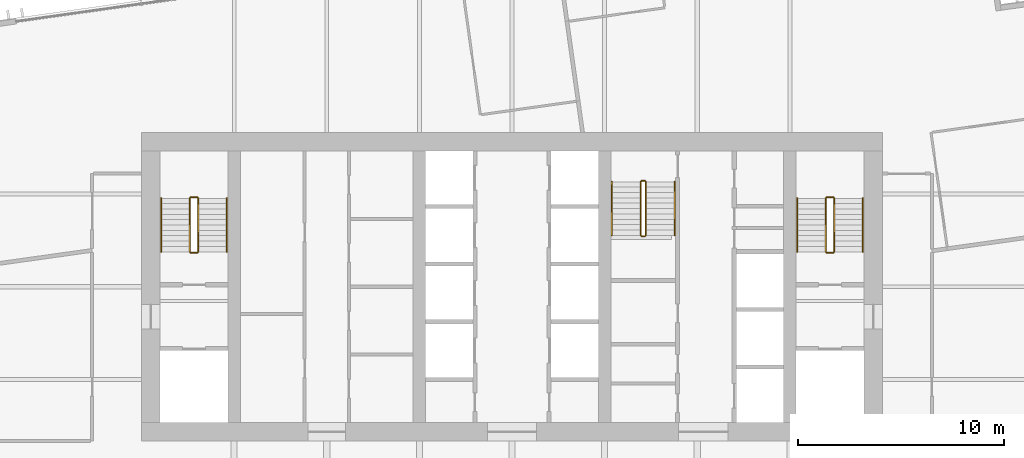
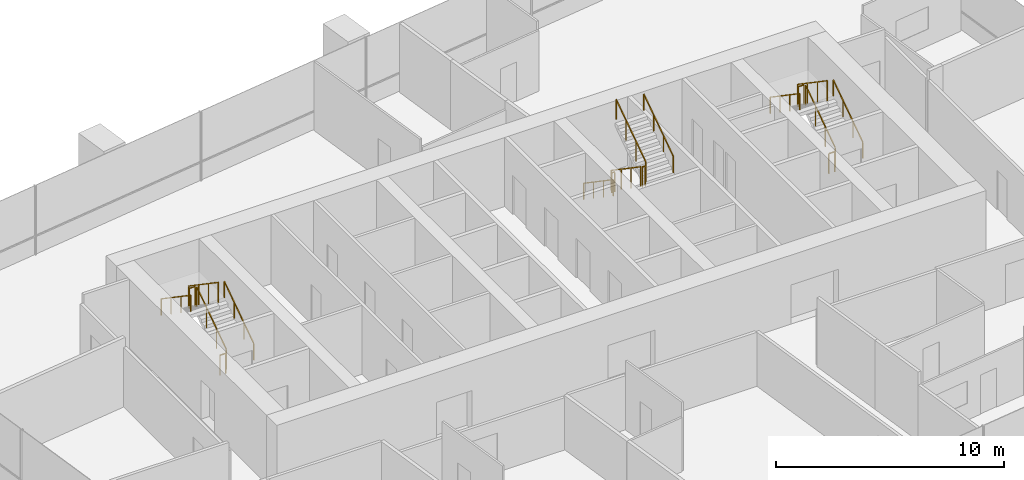
# One storey, part 14 of 14: 18 railings.
"""IFC4 building model written with IfcOpenShell, lengths in metres."""

from ifc_helpers import new_model, si_unit, direction, frame, origin, origin_2d, place, context, subcontext, project, spatial, rectangle, extrude, material, type_object, element, save


model = new_model("IFC4")

# Units and contexts
model_context = context("Model", 3, precision=1e-05, world=origin(), true_north=direction((0.0, 1.0)))
body_context = subcontext(model_context, "Body", "Model", "MODEL_VIEW")
ifc_project = project(units=[si_unit("LENGTHUNIT", "METRE"), si_unit("AREAUNIT", "SQUARE_METRE"), si_unit("VOLUMEUNIT", "CUBIC_METRE"), si_unit("PLANEANGLEUNIT", "RADIAN"), si_unit("MASSUNIT", "GRAM", prefix="KILO")], contexts=[model_context])

# Site, building, storey
site_placement = place(None, origin())
site = spatial("IfcSite", under=ifc_project, at=site_placement, CompositionType="ELEMENT")
building_placement = place(site_placement, origin())
building = spatial("IfcBuilding", under=site, at=building_placement, Name="Rattan Terrace Tower", CompositionType="ELEMENT")
storey_placement = place(building_placement, frame((0.0, 0.0, 195.800048828125)))
storey = spatial("IfcBuildingStorey", under=building, at=storey_placement, Name="L45", CompositionType="ELEMENT", Elevation=195.800048828125)

# Railings
ifc_material_1 = material(Name="Powder-coated steel guard", Category="steel")
railing_type_1 = type_object("IfcRailingType", Name="Core stair guard", PredefinedType="GUARDRAIL", material=ifc_material_1)
railing_1_placement = place(storey_placement, frame((-15.25, 1.699951171875, 0.17724609375)))
element("IfcRailing", 1, at=railing_1_placement, inside=storey, type_object=railing_type_1, Name="L45 S1 stair guard 1", PredefinedType="GUARDRAIL", context=body_context, shape_type="SweptSolid", body=[
    extrude(rectangle(XDim=0.048095703125, YDim=0.048095703125, at=origin_2d()), frame((0.0, 0.0, 1.076171875), z_axis=(0.0, 0.826240473404, 0.563317565952), x_axis=(-1.0, 0.0, 0.0)), (0.0, 0.0, 1.0), 3.14697265625),
    extrude(rectangle(XDim=0.0419921875, YDim=0.0419921875, at=origin_2d()), origin(), (0.0, 0.0, 1.0), 1.052001953125),
    extrude(rectangle(XDim=0.0419921875, YDim=0.0419921875, at=origin_2d()), frame((0.0, 0.86669921875, 0.5908203125)), (0.0, 0.0, 1.0), 1.052001953125),
    extrude(rectangle(XDim=0.0419921875, YDim=0.0419921875, at=origin_2d()), frame((0.0, 1.7333984375, 1.181884765625)), (0.0, 0.0, 1.0), 1.052001953125),
    extrude(rectangle(XDim=0.0419921875, YDim=0.0419921875, at=origin_2d()), frame((0.0, 2.60009765625, 1.772705078125)), (0.0, 0.0, 1.0), 1.052001953125),
])
railing_2_placement = place(storey_placement, frame((-15.300048828125, 4.35009765625, 1.949951171875)))
element("IfcRailing", 2, at=railing_2_placement, inside=storey, type_object=railing_type_1, Name="L45 S1 stair guard 2", PredefinedType="GUARDRAIL", context=body_context, shape_type="SweptSolid", body=[
    extrude(rectangle(XDim=0.048095703125, YDim=0.048095703125, at=origin_2d()), frame((0.0, 0.0, 1.076171875), z_axis=(-1.0, 0.0, 0.0), x_axis=(0.0, -1.0, 0.0)), (0.0, 0.0, 1.0), 0.300048828125),
    extrude(rectangle(XDim=0.0419921875, YDim=0.0419921875, at=origin_2d()), origin(), (0.0, 0.0, 1.0), 1.052001953125),
    extrude(rectangle(XDim=0.0419921875, YDim=0.0419921875, at=origin_2d()), frame((-0.300048828125, 0.0, 0.0)), (0.0, 0.0, 1.0), 1.052001953125),
])
railing_3_placement = place(storey_placement, frame((-15.64990234375, 4.300048828125, 2.127197265625)))
element("IfcRailing", 3, at=railing_3_placement, inside=storey, type_object=railing_type_1, Name="L45 S1 stair guard 3", PredefinedType="GUARDRAIL", context=body_context, shape_type="SweptSolid", body=[
    extrude(rectangle(XDim=0.048095703125, YDim=0.048095703125, at=origin_2d()), frame((0.0, 0.0, 1.076171875), z_axis=(0.0, -0.826240473404, 0.563317565952), x_axis=(1.0, 0.0, 0.0)), (0.0, 0.0, 1.0), 3.14697265625),
    extrude(rectangle(XDim=0.0419921875, YDim=0.0419921875, at=origin_2d()), origin(), (0.0, 0.0, 1.0), 1.052001953125),
    extrude(rectangle(XDim=0.0419921875, YDim=0.0419921875, at=origin_2d()), frame((0.0, -0.86669921875, 0.5908203125)), (0.0, 0.0, 1.0), 1.052001953125),
    extrude(rectangle(XDim=0.0419921875, YDim=0.0419921875, at=origin_2d()), frame((0.0, -1.7333984375, 1.181884765625)), (0.0, 0.0, 1.0), 1.052001953125),
    extrude(rectangle(XDim=0.0419921875, YDim=0.0419921875, at=origin_2d()), frame((0.0, -2.60009765625, 1.772705078125)), (0.0, 0.0, 1.0), 1.052001953125),
])
railing_4_placement = place(storey_placement, frame((-15.300048828125, 1.64990234375, 0.0)))
element("IfcRailing", 4, at=railing_4_placement, inside=storey, type_object=railing_type_1, Name="L45 S1 stair guard 4", PredefinedType="GUARDRAIL", context=body_context, shape_type="SweptSolid", body=[
    extrude(rectangle(XDim=0.048095703125, YDim=0.048095703125, at=origin_2d()), frame((0.0, 0.0, 1.076171875), z_axis=(-1.0, 0.0, 0.0), x_axis=(0.0, -1.0, 0.0)), (0.0, 0.0, 1.0), 0.300048828125),
    extrude(rectangle(XDim=0.0419921875, YDim=0.0419921875, at=origin_2d()), origin(), (0.0, 0.0, 1.0), 1.052001953125),
    extrude(rectangle(XDim=0.0419921875, YDim=0.0419921875, at=origin_2d()), frame((-0.300048828125, 0.0, 0.0)), (0.0, 0.0, 1.0), 1.052001953125),
])
railing_5_placement = place(storey_placement, frame((15.64990234375, 1.699951171875, 0.17724609375)))
element("IfcRailing", 5, at=railing_5_placement, inside=storey, type_object=railing_type_1, Name="L45 S2 stair guard 1", PredefinedType="GUARDRAIL", context=body_context, shape_type="SweptSolid", body=[
    extrude(rectangle(XDim=0.048095703125, YDim=0.048095703125, at=origin_2d()), frame((0.0, 0.0, 1.076171875), z_axis=(0.0, 0.826240473404, 0.563317565952), x_axis=(-1.0, 0.0, 0.0)), (0.0, 0.0, 1.0), 3.14697265625),
    extrude(rectangle(XDim=0.0419921875, YDim=0.0419921875, at=origin_2d()), origin(), (0.0, 0.0, 1.0), 1.052001953125),
    extrude(rectangle(XDim=0.0419921875, YDim=0.0419921875, at=origin_2d()), frame((0.0, 0.86669921875, 0.5908203125)), (0.0, 0.0, 1.0), 1.052001953125),
    extrude(rectangle(XDim=0.0419921875, YDim=0.0419921875, at=origin_2d()), frame((0.0, 1.7333984375, 1.181884765625)), (0.0, 0.0, 1.0), 1.052001953125),
    extrude(rectangle(XDim=0.0419921875, YDim=0.0419921875, at=origin_2d()), frame((0.0, 2.60009765625, 1.772705078125)), (0.0, 0.0, 1.0), 1.052001953125),
])
railing_6_placement = place(storey_placement, frame((15.60009765625, 4.35009765625, 1.949951171875)))
element("IfcRailing", 6, at=railing_6_placement, inside=storey, type_object=railing_type_1, Name="L45 S2 stair guard 2", PredefinedType="GUARDRAIL", context=body_context, shape_type="SweptSolid", body=[
    extrude(rectangle(XDim=0.048095703125, YDim=0.048095703125, at=origin_2d()), frame((0.0, 0.0, 1.076171875), z_axis=(-1.0, 0.0, 0.0), x_axis=(0.0, -1.0, 0.0)), (0.0, 0.0, 1.0), 0.300048828125),
    extrude(rectangle(XDim=0.0419921875, YDim=0.0419921875, at=origin_2d()), origin(), (0.0, 0.0, 1.0), 1.052001953125),
    extrude(rectangle(XDim=0.0419921875, YDim=0.0419921875, at=origin_2d()), frame((-0.300048828125, 0.0, 0.0)), (0.0, 0.0, 1.0), 1.052001953125),
])
railing_7_placement = place(storey_placement, frame((15.25, 4.300048828125, 2.127197265625)))
element("IfcRailing", 7, at=railing_7_placement, inside=storey, type_object=railing_type_1, Name="L45 S2 stair guard 3", PredefinedType="GUARDRAIL", context=body_context, shape_type="SweptSolid", body=[
    extrude(rectangle(XDim=0.048095703125, YDim=0.048095703125, at=origin_2d()), frame((0.0, 0.0, 1.076171875), z_axis=(0.0, -0.826240473404, 0.563317565952), x_axis=(1.0, 0.0, 0.0)), (0.0, 0.0, 1.0), 3.14697265625),
    extrude(rectangle(XDim=0.0419921875, YDim=0.0419921875, at=origin_2d()), origin(), (0.0, 0.0, 1.0), 1.052001953125),
    extrude(rectangle(XDim=0.0419921875, YDim=0.0419921875, at=origin_2d()), frame((0.0, -0.86669921875, 0.5908203125)), (0.0, 0.0, 1.0), 1.052001953125),
    extrude(rectangle(XDim=0.0419921875, YDim=0.0419921875, at=origin_2d()), frame((0.0, -1.7333984375, 1.181884765625)), (0.0, 0.0, 1.0), 1.052001953125),
    extrude(rectangle(XDim=0.0419921875, YDim=0.0419921875, at=origin_2d()), frame((0.0, -2.60009765625, 1.772705078125)), (0.0, 0.0, 1.0), 1.052001953125),
])
railing_8_placement = place(storey_placement, frame((15.60009765625, 1.64990234375, 0.0)))
element("IfcRailing", 8, at=railing_8_placement, inside=storey, type_object=railing_type_1, Name="L45 S2 stair guard 4", PredefinedType="GUARDRAIL", context=body_context, shape_type="SweptSolid", body=[
    extrude(rectangle(XDim=0.048095703125, YDim=0.048095703125, at=origin_2d()), frame((0.0, 0.0, 1.076171875), z_axis=(-1.0, 0.0, 0.0), x_axis=(0.0, -1.0, 0.0)), (0.0, 0.0, 1.0), 0.300048828125),
    extrude(rectangle(XDim=0.0419921875, YDim=0.0419921875, at=origin_2d()), origin(), (0.0, 0.0, 1.0), 1.052001953125),
    extrude(rectangle(XDim=0.0419921875, YDim=0.0419921875, at=origin_2d()), frame((-0.300048828125, 0.0, 0.0)), (0.0, 0.0, 1.0), 1.052001953125),
])
railing_9_placement = place(storey_placement, frame((6.25, 5.10009765625, 0.17724609375)))
element("IfcRailing", 9, at=railing_9_placement, inside=storey, type_object=railing_type_1, Name="L45 S3 stair guard 1", PredefinedType="GUARDRAIL", context=body_context, shape_type="SweptSolid", body=[
    extrude(rectangle(XDim=0.048095703125, YDim=0.048095703125, at=origin_2d()), frame((0.0, 0.0, 1.076171875), z_axis=(0.0, -0.826240473404, 0.563317565952), x_axis=(1.0, 0.0, 0.0)), (0.0, 0.0, 1.0), 3.14697265625),
    extrude(rectangle(XDim=0.0419921875, YDim=0.0419921875, at=origin_2d()), origin(), (0.0, 0.0, 1.0), 1.052001953125),
    extrude(rectangle(XDim=0.0419921875, YDim=0.0419921875, at=origin_2d()), frame((0.0, -0.86669921875, 0.5908203125)), (0.0, 0.0, 1.0), 1.052001953125),
    extrude(rectangle(XDim=0.0419921875, YDim=0.0419921875, at=origin_2d()), frame((0.0, -1.7333984375, 1.181884765625)), (0.0, 0.0, 1.0), 1.052001953125),
    extrude(rectangle(XDim=0.0419921875, YDim=0.0419921875, at=origin_2d()), frame((0.0, -2.60009765625, 1.772705078125)), (0.0, 0.0, 1.0), 1.052001953125),
])
railing_10_placement = place(storey_placement, frame((6.300048828125, 2.449951171875, 1.949951171875)))
element("IfcRailing", 10, at=railing_10_placement, inside=storey, type_object=railing_type_1, Name="L45 S3 stair guard 2", PredefinedType="GUARDRAIL", context=body_context, shape_type="SweptSolid", body=[
    extrude(rectangle(XDim=0.048095703125, YDim=0.048095703125, at=origin_2d()), frame((0.0, 0.0, 1.076171875), z_axis=(1.0, 0.0, 0.0), x_axis=(0.0, 1.0, 0.0)), (0.0, 0.0, 1.0), 0.14990234375),
    extrude(rectangle(XDim=0.0419921875, YDim=0.0419921875, at=origin_2d()), origin(), (0.0, 0.0, 1.0), 1.052001953125),
    extrude(rectangle(XDim=0.0419921875, YDim=0.0419921875, at=origin_2d()), frame((0.14990234375, 0.0, 0.0)), (0.0, 0.0, 1.0), 1.052001953125),
])
railing_11_placement = place(storey_placement, frame((6.5, 2.5, 2.127197265625)))
element("IfcRailing", 11, at=railing_11_placement, inside=storey, type_object=railing_type_1, Name="L45 S3 stair guard 3", PredefinedType="GUARDRAIL", context=body_context, shape_type="SweptSolid", body=[
    extrude(rectangle(XDim=0.048095703125, YDim=0.048095703125, at=origin_2d()), frame((0.0, 0.0, 1.076171875), z_axis=(0.0, 0.826240473404, 0.563317565952), x_axis=(-1.0, 0.0, 0.0)), (0.0, 0.0, 1.0), 3.14697265625),
    extrude(rectangle(XDim=0.0419921875, YDim=0.0419921875, at=origin_2d()), origin(), (0.0, 0.0, 1.0), 1.052001953125),
    extrude(rectangle(XDim=0.0419921875, YDim=0.0419921875, at=origin_2d()), frame((0.0, 0.86669921875, 0.5908203125)), (0.0, 0.0, 1.0), 1.052001953125),
    extrude(rectangle(XDim=0.0419921875, YDim=0.0419921875, at=origin_2d()), frame((0.0, 1.7333984375, 1.181884765625)), (0.0, 0.0, 1.0), 1.052001953125),
    extrude(rectangle(XDim=0.0419921875, YDim=0.0419921875, at=origin_2d()), frame((0.0, 2.60009765625, 1.772705078125)), (0.0, 0.0, 1.0), 1.052001953125),
])
railing_12_placement = place(storey_placement, frame((6.300048828125, 5.14990234375, 0.0)))
element("IfcRailing", 12, at=railing_12_placement, inside=storey, type_object=railing_type_1, Name="L45 S3 stair guard 4", PredefinedType="GUARDRAIL", context=body_context, shape_type="SweptSolid", body=[
    extrude(rectangle(XDim=0.048095703125, YDim=0.048095703125, at=origin_2d()), frame((0.0, 0.0, 1.076171875), z_axis=(1.0, 0.0, 0.0), x_axis=(0.0, 1.0, 0.0)), (0.0, 0.0, 1.0), 0.14990234375),
    extrude(rectangle(XDim=0.0419921875, YDim=0.0419921875, at=origin_2d()), origin(), (0.0, 0.0, 1.0), 1.052001953125),
    extrude(rectangle(XDim=0.0419921875, YDim=0.0419921875, at=origin_2d()), frame((0.14990234375, 0.0, 0.0)), (0.0, 0.0, 1.0), 1.052001953125),
])
ifc_material_2 = material(Name="Powder-coated steel handrail", Category="steel")
railing_type_2 = type_object("IfcRailingType", Name="Core stair handrail", PredefinedType="HANDRAIL", material=ifc_material_2)
railing_13_placement = place(storey_placement, frame((-13.85009765625, 1.699951171875, 0.17724609375)))
element("IfcRailing", 13, at=railing_13_placement, inside=storey, type_object=railing_type_2, Name="L45 S1 stair handrail 1", PredefinedType="HANDRAIL", context=body_context, shape_type="SweptSolid", body=[
    extrude(rectangle(XDim=0.048095703125, YDim=0.048095703125, at=origin_2d()), frame((0.0, 0.0, 0.8759765625), z_axis=(0.0, 0.826240473404, 0.563317565952), x_axis=(-1.0, 0.0, 0.0)), (0.0, 0.0, 1.0), 3.14697265625),
    extrude(rectangle(XDim=0.0419921875, YDim=0.0419921875, at=origin_2d()), origin(), (0.0, 0.0, 1.0), 0.851806640625),
    extrude(rectangle(XDim=0.0419921875, YDim=0.0419921875, at=origin_2d()), frame((0.0, 0.86669921875, 0.5908203125)), (0.0, 0.0, 1.0), 0.851806640625),
    extrude(rectangle(XDim=0.0419921875, YDim=0.0419921875, at=origin_2d()), frame((0.0, 1.7333984375, 1.181884765625)), (0.0, 0.0, 1.0), 0.851806640625),
    extrude(rectangle(XDim=0.0419921875, YDim=0.0419921875, at=origin_2d()), frame((0.0, 2.60009765625, 1.772705078125)), (0.0, 0.0, 1.0), 0.851806640625),
])
railing_14_placement = place(storey_placement, frame((-17.050048828125, 4.300048828125, 2.127197265625)))
element("IfcRailing", 14, at=railing_14_placement, inside=storey, type_object=railing_type_2, Name="L45 S1 stair handrail 2", PredefinedType="HANDRAIL", context=body_context, shape_type="SweptSolid", body=[
    extrude(rectangle(XDim=0.048095703125, YDim=0.048095703125, at=origin_2d()), frame((0.0, 0.0, 0.8759765625), z_axis=(0.0, -0.826240473404, 0.563317565952), x_axis=(1.0, 0.0, 0.0)), (0.0, 0.0, 1.0), 3.14697265625),
    extrude(rectangle(XDim=0.0419921875, YDim=0.0419921875, at=origin_2d()), origin(), (0.0, 0.0, 1.0), 0.851806640625),
    extrude(rectangle(XDim=0.0419921875, YDim=0.0419921875, at=origin_2d()), frame((0.0, -0.86669921875, 0.5908203125)), (0.0, 0.0, 1.0), 0.851806640625),
    extrude(rectangle(XDim=0.0419921875, YDim=0.0419921875, at=origin_2d()), frame((0.0, -1.7333984375, 1.181884765625)), (0.0, 0.0, 1.0), 0.851806640625),
    extrude(rectangle(XDim=0.0419921875, YDim=0.0419921875, at=origin_2d()), frame((0.0, -2.60009765625, 1.772705078125)), (0.0, 0.0, 1.0), 0.851806640625),
])
railing_15_placement = place(storey_placement, frame((17.050048828125, 1.699951171875, 0.17724609375)))
element("IfcRailing", 15, at=railing_15_placement, inside=storey, type_object=railing_type_2, Name="L45 S2 stair handrail 1", PredefinedType="HANDRAIL", context=body_context, shape_type="SweptSolid", body=[
    extrude(rectangle(XDim=0.048095703125, YDim=0.048095703125, at=origin_2d()), frame((0.0, 0.0, 0.8759765625), z_axis=(0.0, 0.826240473404, 0.563317565952), x_axis=(-1.0, 0.0, 0.0)), (0.0, 0.0, 1.0), 3.14697265625),
    extrude(rectangle(XDim=0.0419921875, YDim=0.0419921875, at=origin_2d()), origin(), (0.0, 0.0, 1.0), 0.851806640625),
    extrude(rectangle(XDim=0.0419921875, YDim=0.0419921875, at=origin_2d()), frame((0.0, 0.86669921875, 0.5908203125)), (0.0, 0.0, 1.0), 0.851806640625),
    extrude(rectangle(XDim=0.0419921875, YDim=0.0419921875, at=origin_2d()), frame((0.0, 1.7333984375, 1.181884765625)), (0.0, 0.0, 1.0), 0.851806640625),
    extrude(rectangle(XDim=0.0419921875, YDim=0.0419921875, at=origin_2d()), frame((0.0, 2.60009765625, 1.772705078125)), (0.0, 0.0, 1.0), 0.851806640625),
])
for number, where, name in (
    (16, (13.85009765625, 4.300048828125, 2.127197265625), "L45 S2 stair handrail 2"),
    (17, (4.85009765625, 5.10009765625, 0.17724609375), "L45 S3 stair handrail 1"),
):
    element("IfcRailing", number, at=place(storey_placement, frame(where)), inside=storey, type_object=railing_type_2, Name=name, PredefinedType="HANDRAIL", context=body_context, shape_type="SweptSolid", body=[
        extrude(rectangle(XDim=0.048095703125, YDim=0.048095703125, at=origin_2d()), frame((0.0, 0.0, 0.8759765625), z_axis=(0.0, -0.826240473404, 0.563317565952), x_axis=(1.0, 0.0, 0.0)), (0.0, 0.0, 1.0), 3.14697265625),
        extrude(rectangle(XDim=0.0419921875, YDim=0.0419921875, at=origin_2d()), origin(), (0.0, 0.0, 1.0), 0.851806640625),
        extrude(rectangle(XDim=0.0419921875, YDim=0.0419921875, at=origin_2d()), frame((0.0, -0.86669921875, 0.5908203125)), (0.0, 0.0, 1.0), 0.851806640625),
        extrude(rectangle(XDim=0.0419921875, YDim=0.0419921875, at=origin_2d()), frame((0.0, -1.7333984375, 1.181884765625)), (0.0, 0.0, 1.0), 0.851806640625),
        extrude(rectangle(XDim=0.0419921875, YDim=0.0419921875, at=origin_2d()), frame((0.0, -2.60009765625, 1.772705078125)), (0.0, 0.0, 1.0), 0.851806640625),
    ])
railing_16_placement = place(storey_placement, frame((7.89990234375, 2.5, 2.127197265625)))
element("IfcRailing", 18, at=railing_16_placement, inside=storey, type_object=railing_type_2, Name="L45 S3 stair handrail 2", PredefinedType="HANDRAIL", context=body_context, shape_type="SweptSolid", body=[
    extrude(rectangle(XDim=0.048095703125, YDim=0.048095703125, at=origin_2d()), frame((0.0, 0.0, 0.8759765625), z_axis=(0.0, 0.826240473404, 0.563317565952), x_axis=(-1.0, 0.0, 0.0)), (0.0, 0.0, 1.0), 3.14697265625),
    extrude(rectangle(XDim=0.0419921875, YDim=0.0419921875, at=origin_2d()), origin(), (0.0, 0.0, 1.0), 0.851806640625),
    extrude(rectangle(XDim=0.0419921875, YDim=0.0419921875, at=origin_2d()), frame((0.0, 0.86669921875, 0.5908203125)), (0.0, 0.0, 1.0), 0.851806640625),
    extrude(rectangle(XDim=0.0419921875, YDim=0.0419921875, at=origin_2d()), frame((0.0, 1.7333984375, 1.181884765625)), (0.0, 0.0, 1.0), 0.851806640625),
    extrude(rectangle(XDim=0.0419921875, YDim=0.0419921875, at=origin_2d()), frame((0.0, 2.60009765625, 1.772705078125)), (0.0, 0.0, 1.0), 0.851806640625),
])

save(model, "model.ifc")
